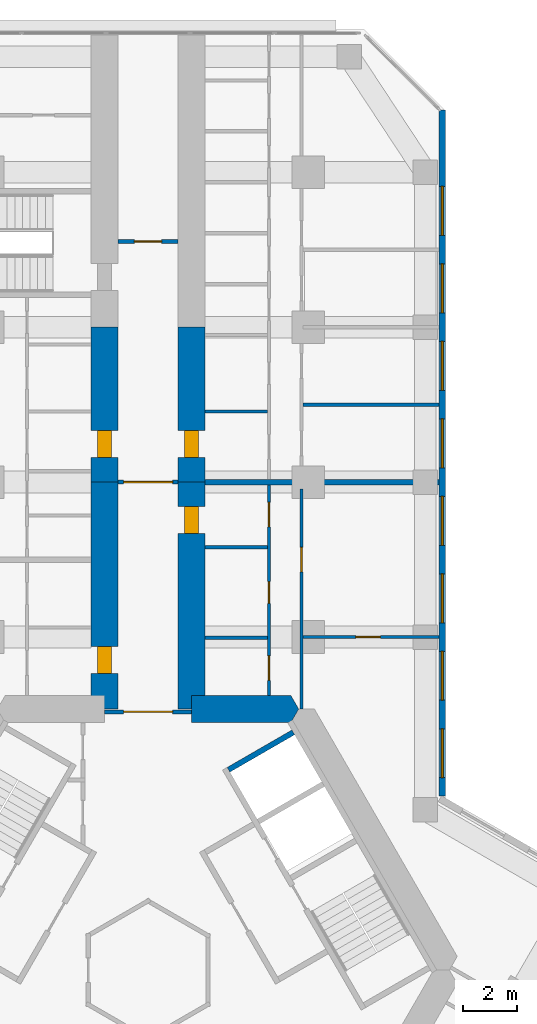
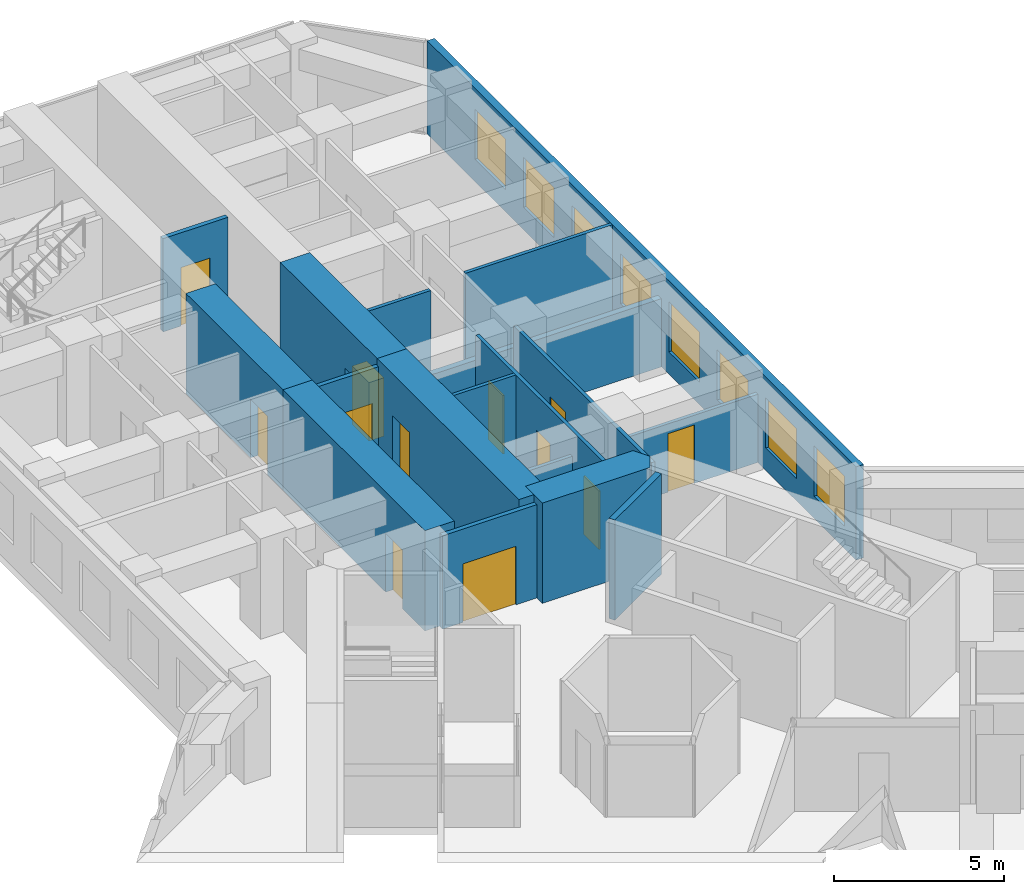
# One storey, part 18 of 21: 18 walls, 12 doors, 8 windows, 20 openings.
"""IFC4 building model written with IfcOpenShell, lengths in metres."""

from ifc_helpers import new_model, si_unit, direction, frame, frame_2d, origin, place, context, subcontext, project, spatial, polyline, rectangle, outline, extrude, material, layer, layer_set, type_object, element, fill, save


model = new_model("IFC4")

# Units and contexts
model_context = context("Model", 3, precision=1e-05, world=origin(), true_north=direction((0.0, 1.0)))
body_context = subcontext(model_context, "Body", "Model", "MODEL_VIEW")
ifc_project = project(units=[si_unit("LENGTHUNIT", "METRE"), si_unit("AREAUNIT", "SQUARE_METRE"), si_unit("VOLUMEUNIT", "CUBIC_METRE"), si_unit("PLANEANGLEUNIT", "RADIAN"), si_unit("MASSUNIT", "GRAM", prefix="KILO")], contexts=[model_context])

# Site, building, storey
site_placement = place(None, origin())
site = spatial("IfcSite", under=ifc_project, at=site_placement, CompositionType="ELEMENT")
building_placement = place(site_placement, origin())
building = spatial("IfcBuilding", under=site, at=building_placement, Name="Kosmar Iwan School Tower", CompositionType="ELEMENT")
storey_placement = place(building_placement, frame((0.0, 0.0, 98.800048828125)))
storey = spatial("IfcBuildingStorey", under=building, at=storey_placement, Name="L24", CompositionType="ELEMENT", Elevation=98.800048828125)

# Wall
ifc_material_1 = material(Name="Concrete C50/60", Category="concrete")
ifc_layer_1 = layer(ifc_material_1, 1.0)
ifc_layer_set_1 = layer_set([ifc_layer_1], Name="Core wall 1000")
wall_type_1 = type_object("IfcWallType", Name="Core wall 1000", PredefinedType="SHEAR", material=ifc_layer_set_1)
wall_1_placement = place(storey_placement, origin())
element("IfcWall", 1, at=wall_1_placement, inside=storey, type_object=wall_type_1, Name="Core wall F090a", PredefinedType="SHEAR", context=body_context, shape_type="SweptSolid", body=[
    extrude(outline(polyline([(1.60009765625, 9.10009765625), (5.25390625, 9.10009765625), (5.54248046875, 9.60009765625), (5.25390625, 10.10009765625), (1.60009765625, 10.10009765625), (1.60009765625, 9.10009765625)])), origin(), (0.0, 0.0, 1.0), 3.599853515625),
])

# Wall, opening, door
ifc_material_2 = material(Name="Concrete C50/60", Category="concrete")
ifc_layer_2 = layer(ifc_material_2, 1.0)
ifc_layer_set_2 = layer_set([ifc_layer_2], Name="Corridor buttress wall 1000")
wall_type_2 = type_object("IfcWallType", Name="Corridor buttress wall 1000", PredefinedType="SHEAR", material=ifc_layer_set_2)
wall_2_placement = place(storey_placement, frame((-1.60009765625, 9.60009765625, 0.0), z_axis=(0.0, 0.0, 1.0), x_axis=(0.0, 1.0, 0.0)))
wall_2 = element("IfcWall", 2, at=wall_2_placement, inside=storey, type_object=wall_type_2, Name="Corridor wall AL", PredefinedType="SHEAR", context=body_context, shape_type="SweptSolid", body=[
    extrude(rectangle(XDim=8.349853515625, YDim=1.0, at=frame_2d((4.1748046875, 0.0))), origin(), (0.0, 0.0, 1.0), 3.599853515625),
])
opening_1_placement = place(wall_2_placement, frame((1.300048828125, 0.0, 0.0)))
opening_1 = element("IfcOpeningElement", 3, at=opening_1_placement, cuts=wall_2, Name="Opening D1", PredefinedType="OPENING", context=body_context, shape_type="SweptSolid", body=[
    extrude(rectangle(XDim=1.0, YDim=2.10009765625, at=frame_2d((0.5, 1.050048828125))), frame((0.0, 0.511962890625, 0.0), z_axis=(0.0, -1.0, 0.0), x_axis=(1.0, 0.0, 0.0)), (0.0, 0.0, 1.0), 1.02392578125),
])
ifc_material_3 = material(Name="Timber fire door in steel frame", Category="steel")
door_type_1 = type_object("IfcDoorType", Name="Flat entrance door 1000x2100", OperationType="SINGLE_SWING_LEFT", PredefinedType="DOOR", material=ifc_material_3)
door_1_placement = place(opening_1_placement, origin())
door_1 = element("IfcDoor", 4, at=door_1_placement, inside=storey, type_object=door_type_1, Name="Flat L24-AL1 entrance door", OperationType="SINGLE_SWING_RIGHT", OverallHeight=2.10009765625, OverallWidth=1.0, PredefinedType="DOOR", context=body_context, shape_type="SweptSolid", body=[
    extrude(rectangle(XDim=1.0, YDim=2.10009765625, at=frame_2d((0.5, 1.050048828125))), frame((0.0, 0.25, 0.0), z_axis=(0.0, -1.0, 0.0), x_axis=(1.0, 0.0, 0.0)), (0.0, 0.0, 1.0), 0.5),
])
fill(opening_1, door_1)

wall_3_placement = place(storey_placement, frame((-1.60009765625, 17.949951171875, 0.0), z_axis=(0.0, 0.0, 1.0), x_axis=(0.0, 1.0, 0.0)))
wall_3 = element("IfcWall", 5, at=wall_3_placement, inside=storey, type_object=wall_type_2, Name="Corridor wall AL bay 2", PredefinedType="SHEAR", context=body_context, shape_type="SweptSolid", body=[
    extrude(rectangle(XDim=5.699951171875, YDim=1.0, at=frame_2d((2.85009765625, 0.0))), origin(), (0.0, 0.0, 1.0), 3.599853515625),
])
opening_2_placement = place(wall_3_placement, frame((0.89990234375, 0.0, 0.0)))
opening_2 = element("IfcOpeningElement", 6, at=opening_2_placement, cuts=wall_3, Name="Opening D1", PredefinedType="OPENING", context=body_context, shape_type="SweptSolid", body=[
    extrude(rectangle(XDim=1.0, YDim=2.10009765625, at=frame_2d((0.5, 1.050048828125))), frame((0.0, 0.511962890625, 0.0), z_axis=(0.0, -1.0, 0.0), x_axis=(1.0, 0.0, 0.0)), (0.0, 0.0, 1.0), 1.02392578125),
])
door_2_placement = place(opening_2_placement, origin())
door_2 = element("IfcDoor", 7, at=door_2_placement, inside=storey, type_object=door_type_1, Name="Flat L24-AL2 entrance door", OperationType="SINGLE_SWING_LEFT", OverallHeight=2.10009765625, OverallWidth=1.0, PredefinedType="DOOR", context=body_context, shape_type="SweptSolid", body=[
    extrude(rectangle(XDim=1.0, YDim=2.10009765625, at=frame_2d((0.5, 1.050048828125))), frame((0.0, 0.25, 0.0), z_axis=(0.0, -1.0, 0.0), x_axis=(1.0, 0.0, 0.0)), (0.0, 0.0, 1.0), 0.5),
])
fill(opening_2, door_2)

wall_4_placement = place(storey_placement, frame((1.60009765625, 9.60009765625, 0.0), z_axis=(0.0, 0.0, 1.0), x_axis=(0.0, 1.0, 0.0)))
wall_4 = element("IfcWall", 8, at=wall_4_placement, inside=storey, type_object=wall_type_2, Name="Corridor wall AR", PredefinedType="SHEAR", context=body_context, shape_type="SweptSolid", body=[
    extrude(rectangle(XDim=8.349853515625, YDim=1.0, at=frame_2d((4.1748046875, 0.0))), origin(), (0.0, 0.0, 1.0), 3.599853515625),
])
opening_3_placement = place(wall_4_placement, frame((6.449951171875, 0.0, 0.0)))
opening_3 = element("IfcOpeningElement", 9, at=opening_3_placement, cuts=wall_4, Name="Opening D1", PredefinedType="OPENING", context=body_context, shape_type="SweptSolid", body=[
    extrude(rectangle(XDim=1.0, YDim=2.10009765625, at=frame_2d((0.5, 1.050048828125))), frame((0.0, 0.511962890625, 0.0), z_axis=(0.0, -1.0, 0.0), x_axis=(1.0, 0.0, 0.0)), (0.0, 0.0, 1.0), 1.02392578125),
])
door_3_placement = place(opening_3_placement, origin())
door_3 = element("IfcDoor", 10, at=door_3_placement, inside=storey, type_object=door_type_1, Name="Flat L24-AR1 entrance door", OperationType="SINGLE_SWING_RIGHT", OverallHeight=2.10009765625, OverallWidth=1.0, PredefinedType="DOOR", context=body_context, shape_type="SweptSolid", body=[
    extrude(rectangle(XDim=1.0, YDim=2.10009765625, at=frame_2d((0.5, 1.050048828125))), frame((0.0, 0.25, 0.0), z_axis=(0.0, -1.0, 0.0), x_axis=(1.0, 0.0, 0.0)), (0.0, 0.0, 1.0), 0.5),
])
fill(opening_3, door_3)

wall_5_placement = place(storey_placement, frame((1.60009765625, 17.949951171875, 0.0), z_axis=(0.0, 0.0, 1.0), x_axis=(0.0, 1.0, 0.0)))
wall_5 = element("IfcWall", 11, at=wall_5_placement, inside=storey, type_object=wall_type_2, Name="Corridor wall AR bay 2", PredefinedType="SHEAR", context=body_context, shape_type="SweptSolid", body=[
    extrude(rectangle(XDim=5.699951171875, YDim=1.0, at=frame_2d((2.85009765625, 0.0))), origin(), (0.0, 0.0, 1.0), 3.599853515625),
])
opening_4_placement = place(wall_5_placement, frame((0.89990234375, 0.0, 0.0)))
opening_4 = element("IfcOpeningElement", 12, at=opening_4_placement, cuts=wall_5, Name="Opening D1", PredefinedType="OPENING", context=body_context, shape_type="SweptSolid", body=[
    extrude(rectangle(XDim=1.0, YDim=2.10009765625, at=frame_2d((0.5, 1.050048828125))), frame((0.0, 0.511962890625, 0.0), z_axis=(0.0, -1.0, 0.0), x_axis=(1.0, 0.0, 0.0)), (0.0, 0.0, 1.0), 1.02392578125),
])
door_4_placement = place(opening_4_placement, origin())
door_4 = element("IfcDoor", 13, at=door_4_placement, inside=storey, type_object=door_type_1, Name="Flat L24-AR2 entrance door", OperationType="SINGLE_SWING_LEFT", OverallHeight=2.10009765625, OverallWidth=1.0, PredefinedType="DOOR", context=body_context, shape_type="SweptSolid", body=[
    extrude(rectangle(XDim=1.0, YDim=2.10009765625, at=frame_2d((0.5, 1.050048828125))), frame((0.0, 0.25, 0.0), z_axis=(0.0, -1.0, 0.0), x_axis=(1.0, 0.0, 0.0)), (0.0, 0.0, 1.0), 0.5),
])
fill(opening_4, door_4)

ifc_material_4 = material(Name="Gypsum board on steel studs, fire-rated", Category="steel")
ifc_layer_3 = layer(ifc_material_4, 0.14990234375)
ifc_layer_set_3 = layer_set([ifc_layer_3], Name="Corridor end wall 150")
wall_type_3 = type_object("IfcWallType", Name="Corridor end wall 150", PredefinedType="PARTITIONING", material=ifc_layer_set_3)
wall_6_placement = place(storey_placement, frame((1.10009765625, 26.800048828125, 0.0), z_axis=(0.0, 0.0, 1.0), x_axis=(-1.0, 0.0, 0.0)))
wall_6 = element("IfcWall", 14, at=wall_6_placement, inside=storey, type_object=wall_type_3, Name="Partition L24-A-CE", PredefinedType="PARTITIONING", context=body_context, shape_type="SweptSolid", body=[
    extrude(rectangle(XDim=2.2001953125, YDim=0.14990234375, at=frame_2d((1.10009765625, 0.0))), origin(), (0.0, 0.0, 1.0), 3.349853515625),
])
opening_5_placement = place(wall_6_placement, frame((0.60009765625, 0.0, 0.0)))
opening_5 = element("IfcOpeningElement", 15, at=opening_5_placement, cuts=wall_6, Name="Opening D13", PredefinedType="OPENING", context=body_context, shape_type="SweptSolid", body=[
    extrude(rectangle(XDim=1.0, YDim=2.10009765625, at=frame_2d((0.5, 1.050048828125))), frame((0.0, 0.0869140625, 0.0), z_axis=(0.0, -1.0, 0.0), x_axis=(1.0, 0.0, 0.0)), (0.0, 0.0, 1.0), 0.173828125),
])
ifc_material_5 = material(Name="Timber fire door with vision panel", Category="wood")
door_type_2 = type_object("IfcDoorType", Name="Corridor end door 1000x2100", OperationType="SINGLE_SWING_LEFT", PredefinedType="DOOR", material=ifc_material_5)
door_5_placement = place(opening_5_placement, origin())
door_5 = element("IfcDoor", 16, at=door_5_placement, inside=storey, type_object=door_type_2, Name="Laundry and drying room door L24-A", OperationType="SINGLE_SWING_RIGHT", OverallHeight=2.10009765625, OverallWidth=1.0, PredefinedType="DOOR", context=body_context, shape_type="SweptSolid", body=[
    extrude(rectangle(XDim=1.0, YDim=2.10009765625, at=frame_2d((0.5, 1.050048828125))), frame((0.0, 0.02490234375, 0.0), z_axis=(0.0, -1.0, 0.0), x_axis=(1.0, 0.0, 0.0)), (0.0, 0.0, 1.0), 0.050048828125),
])
fill(opening_5, door_5)

wall_7_placement = place(storey_placement, frame((1.10009765625, 17.949951171875, 0.0), z_axis=(0.0, 0.0, 1.0), x_axis=(-1.0, 0.0, 0.0)))
wall_7 = element("IfcWall", 17, at=wall_7_placement, inside=storey, type_object=wall_type_3, Name="Partition L24-A-HW", PredefinedType="PARTITIONING", context=body_context, shape_type="SweptSolid", body=[
    extrude(rectangle(XDim=2.2001953125, YDim=0.14990234375, at=frame_2d((1.10009765625, 0.0))), origin(), (0.0, 0.0, 1.0), 3.349853515625),
])
opening_6_placement = place(wall_7_placement, frame((0.199951171875, 0.0, 0.0)))
opening_6 = element("IfcOpeningElement", 18, at=opening_6_placement, cuts=wall_7, Name="Opening D9", PredefinedType="OPENING", context=body_context, shape_type="SweptSolid", body=[
    extrude(rectangle(XDim=1.800048828125, YDim=2.10009765625, at=frame_2d((0.89990234375, 1.050048828125))), frame((0.0, 0.0869140625, 0.0), z_axis=(0.0, -1.0, 0.0), x_axis=(1.0, 0.0, 0.0)), (0.0, 0.0, 1.0), 0.173828125),
])
ifc_material_6 = material(Name="Steel framed glazed smoke door", Category="steel")
door_type_3 = type_object("IfcDoorType", Name="Corridor smoke door pair 1800x2100", OperationType="DOUBLE_DOOR_DOUBLE_SWING", PredefinedType="DOOR", material=ifc_material_6)
door_6_placement = place(opening_6_placement, origin())
door_6 = element("IfcDoor", 19, at=door_6_placement, inside=storey, type_object=door_type_3, Name="Entrance vestibule smoke doors L24-A", OperationType="DOUBLE_DOOR_DOUBLE_SWING", OverallHeight=2.10009765625, OverallWidth=1.800048828125, PredefinedType="DOOR", context=body_context, shape_type="SweptSolid", body=[
    extrude(rectangle(XDim=1.800048828125, YDim=2.10009765625, at=frame_2d((0.89990234375, 1.050048828125))), frame((0.0, 0.02490234375, 0.0), z_axis=(0.0, -1.0, 0.0), x_axis=(1.0, 0.0, 0.0)), (0.0, 0.0, 1.0), 0.050048828125),
])
fill(opening_6, door_6)

ifc_material_7 = material(Name="Steel framed glazed screen", Category="steel")
ifc_layer_4 = layer(ifc_material_7, 0.14990234375)
ifc_layer_set_4 = layer_set([ifc_layer_4], Name="Corridor screen wall 150")
wall_type_4 = type_object("IfcWallType", Name="Corridor screen wall 150", PredefinedType="PARTITIONING", material=ifc_layer_set_4)
wall_8_placement = place(storey_placement, frame((1.60009765625, 9.5, 0.0), z_axis=(0.0, 0.0, 1.0), x_axis=(-1.0, 0.0, 0.0)))
wall_8 = element("IfcWall", 20, at=wall_8_placement, inside=storey, type_object=wall_type_4, Name="Corridor screen A L24", PredefinedType="PARTITIONING", context=body_context, shape_type="SweptSolid", body=[
    extrude(rectangle(XDim=3.2001953125, YDim=0.14990234375, at=frame_2d((1.60009765625, 0.0))), origin(), (0.0, 0.0, 1.0), 3.349853515625),
])
opening_7_placement = place(wall_8_placement, frame((0.699951171875, 0.0, 0.0)))
opening_7 = element("IfcOpeningElement", 21, at=opening_7_placement, cuts=wall_8, Name="Opening D9", PredefinedType="OPENING", context=body_context, shape_type="SweptSolid", body=[
    extrude(rectangle(XDim=1.800048828125, YDim=2.10009765625, at=frame_2d((0.89990234375, 1.050048828125))), frame((0.0, 0.0869140625, 0.0), z_axis=(0.0, -1.0, 0.0), x_axis=(1.0, 0.0, 0.0)), (0.0, 0.0, 1.0), 0.173828125),
])
door_7_placement = place(opening_7_placement, origin())
door_7 = element("IfcDoor", 22, at=door_7_placement, inside=storey, type_object=door_type_3, Name="Corridor doors A L24", OperationType="DOUBLE_DOOR_DOUBLE_SWING", OverallHeight=2.10009765625, OverallWidth=1.800048828125, PredefinedType="DOOR", context=body_context, shape_type="SweptSolid", body=[
    extrude(rectangle(XDim=1.800048828125, YDim=2.10009765625, at=frame_2d((0.89990234375, 1.050048828125))), frame((0.0, 0.02490234375, 0.0), z_axis=(0.0, -1.0, 0.0), x_axis=(1.0, 0.0, 0.0)), (0.0, 0.0, 1.0), 0.050048828125),
])
fill(opening_7, door_7)

# Wall, openings, doors
ifc_material_8 = material(Name="Gypsum board on steel studs", Category="steel")
ifc_layer_5 = layer(ifc_material_8, 0.1201171875)
ifc_layer_set_5 = layer_set([ifc_layer_5], Name="Dwelling partition 120")
wall_type_5 = type_object("IfcWallType", Name="Dwelling partition 120", PredefinedType="PARTITIONING", material=ifc_layer_set_5)
wall_9_placement = place(storey_placement, frame((4.449951171875, 10.10009765625, 0.0), z_axis=(0.0, 0.0, 1.0), x_axis=(0.0, 1.0, 0.0)))
wall_9 = element("IfcWall", 23, at=wall_9_placement, inside=storey, type_object=wall_type_5, Name="Partition L24-AR1-W1", PredefinedType="PARTITIONING", context=body_context, shape_type="SweptSolid", body=[
    extrude(rectangle(XDim=7.75, YDim=0.1201171875, at=frame_2d((3.875, 0.0))), origin(), (0.0, 0.0, 1.0), 3.349853515625),
])
opening_8_placement = place(wall_9_placement, frame((0.56005859375, 0.0, 0.0)))
opening_8 = element("IfcOpeningElement", 24, at=opening_8_placement, cuts=wall_9, Name="Opening D2", PredefinedType="OPENING", context=body_context, shape_type="SweptSolid", body=[
    extrude(rectangle(XDim=0.89990234375, YDim=2.10009765625, at=frame_2d((0.449951171875, 1.050048828125))), frame((0.0, 0.072021484375, 0.0), z_axis=(0.0, -1.0, 0.0), x_axis=(1.0, 0.0, 0.0)), (0.0, 0.0, 1.0), 0.14404296875),
])
opening_9_placement = place(wall_9_placement, frame((3.385009765625, 0.0, 0.0)))
opening_9 = element("IfcOpeningElement", 25, at=opening_9_placement, cuts=wall_9, Name="Opening D3", PredefinedType="OPENING", context=body_context, shape_type="SweptSolid", body=[
    extrude(rectangle(XDim=0.800048828125, YDim=2.10009765625, at=frame_2d((0.39990234375, 1.050048828125))), frame((0.0, 0.072021484375, 0.0), z_axis=(0.0, -1.0, 0.0), x_axis=(1.0, 0.0, 0.0)), (0.0, 0.0, 1.0), 0.14404296875),
])
opening_10_placement = place(wall_9_placement, frame((6.199951171875, 0.0, 0.0)))
opening_10 = element("IfcOpeningElement", 26, at=opening_10_placement, cuts=wall_9, Name="Opening D2", PredefinedType="OPENING", context=body_context, shape_type="SweptSolid", body=[
    extrude(rectangle(XDim=0.89990234375, YDim=2.10009765625, at=frame_2d((0.449951171875, 1.050048828125))), frame((0.0, 0.072021484375, 0.0), z_axis=(0.0, -1.0, 0.0), x_axis=(1.0, 0.0, 0.0)), (0.0, 0.0, 1.0), 0.14404296875),
])
ifc_material_9 = material(Name="Timber door in timber frame", Category="wood")
door_type_4 = type_object("IfcDoorType", Name="Internal door 900x2100", OperationType="SINGLE_SWING_LEFT", PredefinedType="DOOR", material=ifc_material_9)
door_8_placement = place(opening_8_placement, origin())
door_8 = element("IfcDoor", 27, at=door_8_placement, inside=storey, type_object=door_type_4, Name="Pantry door L24-AR1-S1", OperationType="SINGLE_SWING_RIGHT", OverallHeight=2.10009765625, OverallWidth=0.89990234375, PredefinedType="DOOR", context=body_context, shape_type="SweptSolid", body=[
    extrude(rectangle(XDim=0.89990234375, YDim=2.10009765625, at=frame_2d((0.449951171875, 1.050048828125))), frame((0.0, 0.02490234375, 0.0), z_axis=(0.0, -1.0, 0.0), x_axis=(1.0, 0.0, 0.0)), (0.0, 0.0, 1.0), 0.050048828125),
])
fill(opening_8, door_8)
door_9_placement = place(opening_10_placement, origin())
door_9 = element("IfcDoor", 28, at=door_9_placement, inside=storey, type_object=door_type_4, Name="Entrance hall door L24-AR1-S3", OperationType="SINGLE_SWING_RIGHT", OverallHeight=2.10009765625, OverallWidth=0.89990234375, PredefinedType="DOOR", context=body_context, shape_type="SweptSolid", body=[
    extrude(rectangle(XDim=0.89990234375, YDim=2.10009765625, at=frame_2d((0.449951171875, 1.050048828125))), frame((0.0, 0.02490234375, 0.0), z_axis=(0.0, -1.0, 0.0), x_axis=(1.0, 0.0, 0.0)), (0.0, 0.0, 1.0), 0.050048828125),
])
fill(opening_10, door_9)
ifc_material_10 = material(Name="Timber door in timber frame", Category="wood")
door_type_5 = type_object("IfcDoorType", Name="Sanitary room door 800x2100", OperationType="SINGLE_SWING_LEFT", PredefinedType="DOOR", material=ifc_material_10)
door_10_placement = place(opening_9_placement, origin())
door_10 = element("IfcDoor", 29, at=door_10_placement, inside=storey, type_object=door_type_5, Name="Bathroom door L24-AR1-S2", OperationType="SINGLE_SWING_LEFT", OverallHeight=2.10009765625, OverallWidth=0.800048828125, PredefinedType="DOOR", context=body_context, shape_type="SweptSolid", body=[
    extrude(rectangle(XDim=0.800048828125, YDim=2.10009765625, at=frame_2d((0.39990234375, 1.050048828125))), frame((0.0, 0.02490234375, 0.0), z_axis=(0.0, -1.0, 0.0), x_axis=(1.0, 0.0, 0.0)), (0.0, 0.0, 1.0), 0.050048828125),
])
fill(opening_9, door_10)

# Wall, opening, door
wall_10_placement = place(storey_placement, frame((5.64990234375, 9.60009765625, 0.0), z_axis=(0.0, 0.0, 1.0), x_axis=(0.0, 1.0, 0.0)))
wall_10 = element("IfcWall", 30, at=wall_10_placement, inside=storey, type_object=wall_type_5, Name="Partition L24-AR1-W2", PredefinedType="PARTITIONING", context=body_context, shape_type="SweptSolid", body=[
    extrude(rectangle(XDim=8.099853515625, YDim=0.1201171875, at=frame_2d((4.0498046875, 0.0))), origin(), (0.0, 0.0, 1.0), 3.349853515625),
])
opening_11_placement = place(wall_10_placement, frame((5.050048828125, 0.0, 0.0)))
opening_11 = element("IfcOpeningElement", 31, at=opening_11_placement, cuts=wall_10, Name="Opening D2", PredefinedType="OPENING", context=body_context, shape_type="SweptSolid", body=[
    extrude(rectangle(XDim=0.89990234375, YDim=2.10009765625, at=frame_2d((0.449951171875, 1.050048828125))), frame((0.0, 0.072021484375, 0.0), z_axis=(0.0, -1.0, 0.0), x_axis=(1.0, 0.0, 0.0)), (0.0, 0.0, 1.0), 0.14404296875),
])
door_11_placement = place(opening_11_placement, origin())
door_11 = element("IfcDoor", 32, at=door_11_placement, inside=storey, type_object=door_type_4, Name="Studio living room door L24-AR1-F2", OperationType="SINGLE_SWING_RIGHT", OverallHeight=2.10009765625, OverallWidth=0.89990234375, PredefinedType="DOOR", context=body_context, shape_type="SweptSolid", body=[
    extrude(rectangle(XDim=0.89990234375, YDim=2.10009765625, at=frame_2d((0.449951171875, 1.050048828125))), frame((0.0, 0.02490234375, 0.0), z_axis=(0.0, -1.0, 0.0), x_axis=(1.0, 0.0, 0.0)), (0.0, 0.0, 1.0), 0.050048828125),
])
fill(opening_11, door_11)

wall_11_placement = place(storey_placement, frame((5.7099609375, 12.25, 0.0), z_axis=(0.0, 0.0, 1.0), x_axis=(1.0, 0.0, 0.0)))
wall_11 = element("IfcWall", 33, at=wall_11_placement, inside=storey, type_object=wall_type_5, Name="Partition L24-AR1-X1", PredefinedType="PARTITIONING", context=body_context, shape_type="SweptSolid", body=[
    extrude(rectangle(XDim=4.989990234375, YDim=0.1201171875, at=frame_2d((2.4951171875, 0.0))), origin(), (0.0, 0.0, 1.0), 2.449951171875),
])
opening_12_placement = place(wall_11_placement, frame((1.93994140625, 0.0, 0.0)))
opening_12 = element("IfcOpeningElement", 34, at=opening_12_placement, cuts=wall_11, Name="Opening D2", PredefinedType="OPENING", context=body_context, shape_type="SweptSolid", body=[
    extrude(rectangle(XDim=0.89990234375, YDim=2.10009765625, at=frame_2d((0.449951171875, 1.050048828125))), frame((0.0, 0.072021484375, 0.0), z_axis=(0.0, -1.0, 0.0), x_axis=(1.0, 0.0, 0.0)), (0.0, 0.0, 1.0), 0.14404296875),
])
door_12_placement = place(opening_12_placement, origin())
door_12 = element("IfcDoor", 35, at=door_12_placement, inside=storey, type_object=door_type_4, Name="Kitchen and dining room door L24-AR1-F1", OperationType="SINGLE_SWING_LEFT", OverallHeight=2.10009765625, OverallWidth=0.89990234375, PredefinedType="DOOR", context=body_context, shape_type="SweptSolid", body=[
    extrude(rectangle(XDim=0.89990234375, YDim=2.10009765625, at=frame_2d((0.449951171875, 1.050048828125))), frame((0.0, 0.02490234375, 0.0), z_axis=(0.0, -1.0, 0.0), x_axis=(1.0, 0.0, 0.0)), (0.0, 0.0, 1.0), 0.050048828125),
])
fill(opening_12, door_12)

# Walls
wall_12_placement = place(storey_placement, frame((2.10009765625, 12.219970703125, 0.0), z_axis=(0.0, 0.0, 1.0), x_axis=(1.0, 0.0, 0.0)))
element("IfcWall", 36, at=wall_12_placement, inside=storey, type_object=wall_type_5, Name="Partition L24-AR1-Y1", PredefinedType="PARTITIONING", context=body_context, shape_type="SweptSolid", body=[
    extrude(rectangle(XDim=2.289794921875, YDim=0.1201171875, at=frame_2d((1.14501953125, 0.0))), origin(), (0.0, 0.0, 1.0), 2.449951171875),
])
wall_13_placement = place(storey_placement, frame((2.10009765625, 15.550048828125, 0.0), z_axis=(0.0, 0.0, 1.0), x_axis=(1.0, 0.0, 0.0)))
element("IfcWall", 37, at=wall_13_placement, inside=storey, type_object=wall_type_5, Name="Partition L24-AR1-Y2", PredefinedType="PARTITIONING", context=body_context, shape_type="SweptSolid", body=[
    extrude(rectangle(XDim=2.289794921875, YDim=0.1201171875, at=frame_2d((1.14501953125, 0.0))), origin(), (0.0, 0.0, 1.0), 3.349853515625),
])
wall_14_placement = place(storey_placement, frame((5.7099609375, 20.800048828125, 0.0), z_axis=(0.0, 0.0, 1.0), x_axis=(1.0, 0.0, 0.0)))
element("IfcWall", 38, at=wall_14_placement, inside=storey, type_object=wall_type_5, Name="Partition L24-AR2-X1", PredefinedType="PARTITIONING", context=body_context, shape_type="SweptSolid", body=[
    extrude(rectangle(XDim=4.989990234375, YDim=0.1201171875, at=frame_2d((2.4951171875, 0.0))), origin(), (0.0, 0.0, 1.0), 3.349853515625),
])
wall_15_placement = place(storey_placement, frame((2.10009765625, 20.550048828125, 0.0), z_axis=(0.0, 0.0, 1.0), x_axis=(1.0, 0.0, 0.0)))
element("IfcWall", 39, at=wall_15_placement, inside=storey, type_object=wall_type_5, Name="Partition L24-AR2-Y1", PredefinedType="PARTITIONING", context=body_context, shape_type="SweptSolid", body=[
    extrude(rectangle(XDim=2.289794921875, YDim=0.1201171875, at=frame_2d((1.14501953125, 0.0))), origin(), (0.0, 0.0, 1.0), 3.349853515625),
])

# Wall, openings, windows
ifc_material_11 = material(Name="Black aluminium rainscreen on insulated framing", Category="aluminium")
ifc_layer_6 = layer(ifc_material_11, 0.25)
ifc_layer_set_6 = layer_set([ifc_layer_6], Name="External wall rainscreen 250")
wall_type_6 = type_object("IfcWallType", Name="External wall rainscreen 250", PredefinedType="SOLIDWALL", material=ifc_layer_set_6)
wall_16_placement = place(storey_placement, frame((10.824951171875, 6.408935546875, 0.0), z_axis=(0.0, 0.0, 1.0), x_axis=(0.0, 1.0, 0.0)))
wall_16 = element("IfcWall", 40, at=wall_16_placement, inside=storey, type_object=wall_type_6, Name="External wall AR L24", PredefinedType="SOLIDWALL", context=body_context, shape_type="SweptSolid", body=[
    extrude(rectangle(XDim=25.226318359375, YDim=0.25, at=frame_2d((12.61328125, 0.0))), origin(), (0.0, 0.0, 1.0), 3.349853515625),
])
opening_13_placement = place(wall_16_placement, frame((0.666015625, 0.0, 0.800048828125)))
opening_13 = element("IfcOpeningElement", 41, at=opening_13_placement, cuts=wall_16, Name="Opening W1", PredefinedType="OPENING", context=body_context, shape_type="SweptSolid", body=[
    extrude(rectangle(XDim=1.800048828125, YDim=1.800048828125, at=frame_2d((0.89990234375, 0.89990234375))), frame((0.0, 0.136962890625, 0.0), z_axis=(0.0, -1.0, 0.0), x_axis=(1.0, 0.0, 0.0)), (0.0, 0.0, 1.0), 0.27392578125),
])
opening_14_placement = place(wall_16_placement, frame((3.51611328125, 0.0, 0.800048828125)))
opening_14 = element("IfcOpeningElement", 42, at=opening_14_placement, cuts=wall_16, Name="Opening W1", PredefinedType="OPENING", context=body_context, shape_type="SweptSolid", body=[
    extrude(rectangle(XDim=1.800048828125, YDim=1.800048828125, at=frame_2d((0.89990234375, 0.89990234375))), frame((0.0, 0.136962890625, 0.0), z_axis=(0.0, -1.0, 0.0), x_axis=(1.0, 0.0, 0.0)), (0.0, 0.0, 1.0), 0.27392578125),
])
opening_15_placement = place(wall_16_placement, frame((6.365966796875, 0.0, 0.800048828125)))
opening_15 = element("IfcOpeningElement", 43, at=opening_15_placement, cuts=wall_16, Name="Opening W1", PredefinedType="OPENING", context=body_context, shape_type="SweptSolid", body=[
    extrude(rectangle(XDim=1.800048828125, YDim=1.800048828125, at=frame_2d((0.89990234375, 0.89990234375))), frame((0.0, 0.136962890625, 0.0), z_axis=(0.0, -1.0, 0.0), x_axis=(1.0, 0.0, 0.0)), (0.0, 0.0, 1.0), 0.27392578125),
])
opening_16_placement = place(wall_16_placement, frame((9.216064453125, 0.0, 0.800048828125)))
opening_16 = element("IfcOpeningElement", 44, at=opening_16_placement, cuts=wall_16, Name="Opening W1", PredefinedType="OPENING", context=body_context, shape_type="SweptSolid", body=[
    extrude(rectangle(XDim=1.800048828125, YDim=1.800048828125, at=frame_2d((0.89990234375, 0.89990234375))), frame((0.0, 0.136962890625, 0.0), z_axis=(0.0, -1.0, 0.0), x_axis=(1.0, 0.0, 0.0)), (0.0, 0.0, 1.0), 0.27392578125),
])
opening_17_placement = place(wall_16_placement, frame((12.06591796875, 0.0, 0.800048828125)))
opening_17 = element("IfcOpeningElement", 45, at=opening_17_placement, cuts=wall_16, Name="Opening W1", PredefinedType="OPENING", context=body_context, shape_type="SweptSolid", body=[
    extrude(rectangle(XDim=1.800048828125, YDim=1.800048828125, at=frame_2d((0.89990234375, 0.89990234375))), frame((0.0, 0.136962890625, 0.0), z_axis=(0.0, -1.0, 0.0), x_axis=(1.0, 0.0, 0.0)), (0.0, 0.0, 1.0), 0.27392578125),
])
opening_18_placement = place(wall_16_placement, frame((14.916015625, 0.0, 0.800048828125)))
opening_18 = element("IfcOpeningElement", 46, at=opening_18_placement, cuts=wall_16, Name="Opening W1", PredefinedType="OPENING", context=body_context, shape_type="SweptSolid", body=[
    extrude(rectangle(XDim=1.800048828125, YDim=1.800048828125, at=frame_2d((0.89990234375, 0.89990234375))), frame((0.0, 0.136962890625, 0.0), z_axis=(0.0, -1.0, 0.0), x_axis=(1.0, 0.0, 0.0)), (0.0, 0.0, 1.0), 0.27392578125),
])
opening_19_placement = place(wall_16_placement, frame((17.76611328125, 0.0, 0.800048828125)))
opening_19 = element("IfcOpeningElement", 47, at=opening_19_placement, cuts=wall_16, Name="Opening W1", PredefinedType="OPENING", context=body_context, shape_type="SweptSolid", body=[
    extrude(rectangle(XDim=1.800048828125, YDim=1.800048828125, at=frame_2d((0.89990234375, 0.89990234375))), frame((0.0, 0.136962890625, 0.0), z_axis=(0.0, -1.0, 0.0), x_axis=(1.0, 0.0, 0.0)), (0.0, 0.0, 1.0), 0.27392578125),
])
opening_20_placement = place(wall_16_placement, frame((20.615966796875, 0.0, 0.800048828125)))
opening_20 = element("IfcOpeningElement", 48, at=opening_20_placement, cuts=wall_16, Name="Opening W1", PredefinedType="OPENING", context=body_context, shape_type="SweptSolid", body=[
    extrude(rectangle(XDim=1.800048828125, YDim=1.800048828125, at=frame_2d((0.89990234375, 0.89990234375))), frame((0.0, 0.136962890625, 0.0), z_axis=(0.0, -1.0, 0.0), x_axis=(1.0, 0.0, 0.0)), (0.0, 0.0, 1.0), 0.27392578125),
])
ifc_material_12 = material(Name="Black aluminium frame with dark triple glazing", Category="aluminium")
window_type = type_object("IfcWindowType", Name="Window 1800x1800", PartitioningType="SINGLE_PANEL", PredefinedType="WINDOW", material=ifc_material_12)
window_1_placement = place(opening_13_placement, origin())
window_1 = element("IfcWindow", 49, at=window_1_placement, inside=storey, type_object=window_type, Name="Window AR L24 -1", OverallHeight=1.800048828125, OverallWidth=1.800048828125, PartitioningType="SINGLE_PANEL", PredefinedType="WINDOW", context=body_context, shape_type="SweptSolid", body=[
    extrude(rectangle(XDim=1.800048828125, YDim=1.800048828125, at=frame_2d((0.89990234375, 0.89990234375))), frame((0.0, 0.030029296875, 0.0), z_axis=(0.0, -1.0, 0.0), x_axis=(1.0, 0.0, 0.0)), (0.0, 0.0, 1.0), 0.06005859375),
])
fill(opening_13, window_1)
window_2_placement = place(opening_14_placement, origin())
window_2 = element("IfcWindow", 50, at=window_2_placement, inside=storey, type_object=window_type, Name="Window AR L24 0", OverallHeight=1.800048828125, OverallWidth=1.800048828125, PartitioningType="SINGLE_PANEL", PredefinedType="WINDOW", context=body_context, shape_type="SweptSolid", body=[
    extrude(rectangle(XDim=1.800048828125, YDim=1.800048828125, at=frame_2d((0.89990234375, 0.89990234375))), frame((0.0, 0.030029296875, 0.0), z_axis=(0.0, -1.0, 0.0), x_axis=(1.0, 0.0, 0.0)), (0.0, 0.0, 1.0), 0.06005859375),
])
fill(opening_14, window_2)
window_3_placement = place(opening_15_placement, origin())
window_3 = element("IfcWindow", 51, at=window_3_placement, inside=storey, type_object=window_type, Name="Window AR L24 1", OverallHeight=1.800048828125, OverallWidth=1.800048828125, PartitioningType="SINGLE_PANEL", PredefinedType="WINDOW", context=body_context, shape_type="SweptSolid", body=[
    extrude(rectangle(XDim=1.800048828125, YDim=1.800048828125, at=frame_2d((0.89990234375, 0.89990234375))), frame((0.0, 0.030029296875, 0.0), z_axis=(0.0, -1.0, 0.0), x_axis=(1.0, 0.0, 0.0)), (0.0, 0.0, 1.0), 0.06005859375),
])
fill(opening_15, window_3)
window_4_placement = place(opening_16_placement, origin())
window_4 = element("IfcWindow", 52, at=window_4_placement, inside=storey, type_object=window_type, Name="Window AR L24 2", OverallHeight=1.800048828125, OverallWidth=1.800048828125, PartitioningType="SINGLE_PANEL", PredefinedType="WINDOW", context=body_context, shape_type="SweptSolid", body=[
    extrude(rectangle(XDim=1.800048828125, YDim=1.800048828125, at=frame_2d((0.89990234375, 0.89990234375))), frame((0.0, 0.030029296875, 0.0), z_axis=(0.0, -1.0, 0.0), x_axis=(1.0, 0.0, 0.0)), (0.0, 0.0, 1.0), 0.06005859375),
])
fill(opening_16, window_4)
window_5_placement = place(opening_17_placement, origin())
window_5 = element("IfcWindow", 53, at=window_5_placement, inside=storey, type_object=window_type, Name="Window AR L24 3", OverallHeight=1.800048828125, OverallWidth=1.800048828125, PartitioningType="SINGLE_PANEL", PredefinedType="WINDOW", context=body_context, shape_type="SweptSolid", body=[
    extrude(rectangle(XDim=1.800048828125, YDim=1.800048828125, at=frame_2d((0.89990234375, 0.89990234375))), frame((0.0, 0.030029296875, 0.0), z_axis=(0.0, -1.0, 0.0), x_axis=(1.0, 0.0, 0.0)), (0.0, 0.0, 1.0), 0.06005859375),
])
fill(opening_17, window_5)
window_6_placement = place(opening_18_placement, origin())
window_6 = element("IfcWindow", 54, at=window_6_placement, inside=storey, type_object=window_type, Name="Window AR L24 4", OverallHeight=1.800048828125, OverallWidth=1.800048828125, PartitioningType="SINGLE_PANEL", PredefinedType="WINDOW", context=body_context, shape_type="SweptSolid", body=[
    extrude(rectangle(XDim=1.800048828125, YDim=1.800048828125, at=frame_2d((0.89990234375, 0.89990234375))), frame((0.0, 0.030029296875, 0.0), z_axis=(0.0, -1.0, 0.0), x_axis=(1.0, 0.0, 0.0)), (0.0, 0.0, 1.0), 0.06005859375),
])
fill(opening_18, window_6)
window_7_placement = place(opening_19_placement, origin())
window_7 = element("IfcWindow", 55, at=window_7_placement, inside=storey, type_object=window_type, Name="Window AR L24 5", OverallHeight=1.800048828125, OverallWidth=1.800048828125, PartitioningType="SINGLE_PANEL", PredefinedType="WINDOW", context=body_context, shape_type="SweptSolid", body=[
    extrude(rectangle(XDim=1.800048828125, YDim=1.800048828125, at=frame_2d((0.89990234375, 0.89990234375))), frame((0.0, 0.030029296875, 0.0), z_axis=(0.0, -1.0, 0.0), x_axis=(1.0, 0.0, 0.0)), (0.0, 0.0, 1.0), 0.06005859375),
])
fill(opening_19, window_7)
window_8_placement = place(opening_20_placement, origin())
window_8 = element("IfcWindow", 56, at=window_8_placement, inside=storey, type_object=window_type, Name="Window AR L24 6", OverallHeight=1.800048828125, OverallWidth=1.800048828125, PartitioningType="SINGLE_PANEL", PredefinedType="WINDOW", context=body_context, shape_type="SweptSolid", body=[
    extrude(rectangle(XDim=1.800048828125, YDim=1.800048828125, at=frame_2d((0.89990234375, 0.89990234375))), frame((0.0, 0.030029296875, 0.0), z_axis=(0.0, -1.0, 0.0), x_axis=(1.0, 0.0, 0.0)), (0.0, 0.0, 1.0), 0.06005859375),
])
fill(opening_20, window_8)

# Walls
ifc_material_13 = material(Name="Concrete C50/60", Category="concrete")
ifc_layer_7 = layer(ifc_material_13, 0.199951171875)
ifc_layer_set_7 = layer_set([ifc_layer_7], Name="Lift shaft wall 200")
wall_type_7 = type_object("IfcWallType", Name="Lift shaft wall 200", PredefinedType="SHEAR", material=ifc_layer_set_7)
wall_17_placement = place(storey_placement, frame((2.962646484375, 7.368408203125, 0.0), z_axis=(0.0, 0.0, 1.0), x_axis=(0.866027397988, 0.499996545922, 0.0)))
element("IfcWall", 57, at=wall_17_placement, inside=storey, type_object=wall_type_7, Name="Lift shaft wall AC 2", PredefinedType="SHEAR", context=body_context, shape_type="SweptSolid", body=[
    extrude(rectangle(XDim=2.75, YDim=0.199951171875, at=frame_2d((1.375, 0.0))), origin(), (0.0, 0.0, 1.0), 3.599853515625),
])
ifc_material_14 = material(Name="Concrete block masonry", Category="masonry")
ifc_layer_8 = layer(ifc_material_14, 0.199951171875)
ifc_layer_set_8 = layer_set([ifc_layer_8], Name="Party wall 200")
wall_type_8 = type_object("IfcWallType", Name="Party wall 200", PredefinedType="PARTITIONING", material=ifc_layer_set_8)
wall_18_placement = place(storey_placement, frame((2.10009765625, 17.949951171875, 0.0), z_axis=(0.0, 0.0, 1.0), x_axis=(1.0, 0.0, 0.0)))
element("IfcWall", 58, at=wall_18_placement, inside=storey, type_object=wall_type_8, Name="Partition L24-AR2-PW", PredefinedType="PARTITIONING", context=body_context, shape_type="SweptSolid", body=[
    extrude(rectangle(XDim=8.599853515625, YDim=0.199951171875, at=frame_2d((4.2998046875, 0.0))), origin(), (0.0, 0.0, 1.0), 2.449951171875),
])

save(model, "model.ifc")
